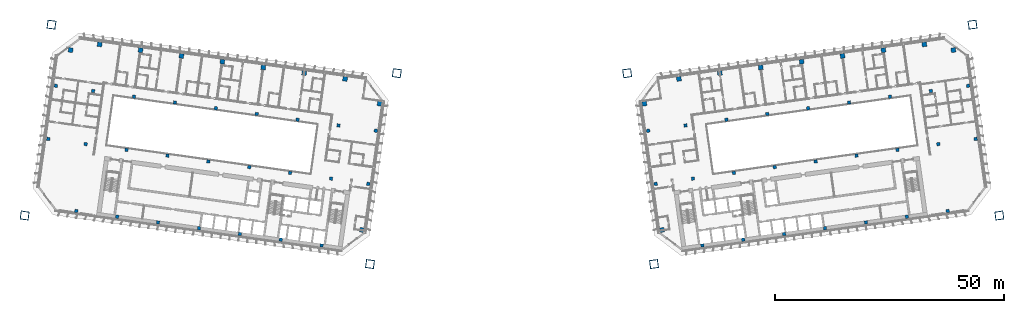
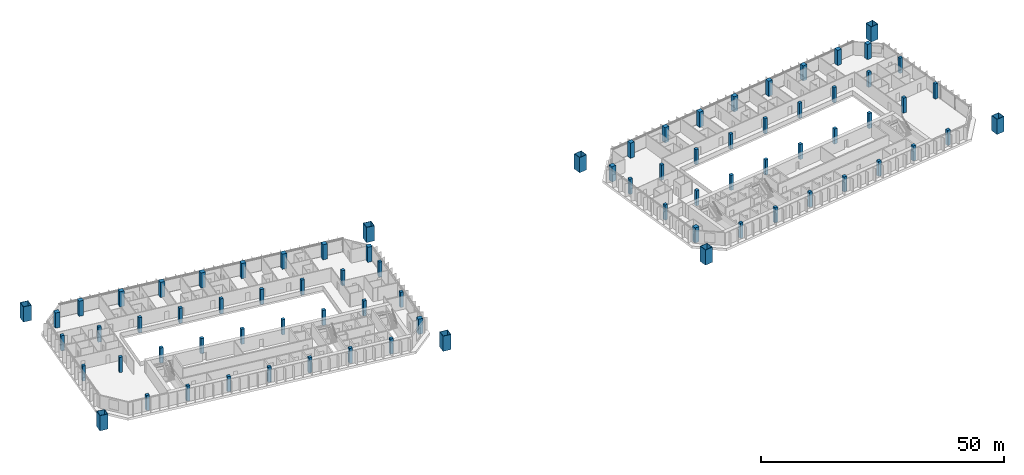
# One storey, part 1 of 25: 78 columns.
"""IFC4 building model written with IfcOpenShell, lengths in metres."""

from ifc_helpers import new_model, si_unit, direction, frame, origin, origin_2d, place, context, subcontext, project, spatial, rectangle, hollow_rectangle, extrude, material, material_profile, profile_set, type_object, element, save


model = new_model("IFC4")

# Units and contexts
model_context = context("Model", 3, precision=1e-05, world=origin(), true_north=direction((0.0, 1.0)))
body_context = subcontext(model_context, "Body", "Model", "MODEL_VIEW")
ifc_project = project(units=[si_unit("LENGTHUNIT", "METRE"), si_unit("AREAUNIT", "SQUARE_METRE"), si_unit("VOLUMEUNIT", "CUBIC_METRE"), si_unit("PLANEANGLEUNIT", "RADIAN"), si_unit("MASSUNIT", "GRAM", prefix="KILO")], contexts=[model_context])

# Site, building, storey
site_placement = place(None, origin())
site = spatial("IfcSite", under=ifc_project, at=site_placement, CompositionType="ELEMENT")
building_placement = place(site_placement, origin())
building = spatial("IfcBuilding", under=site, at=building_placement, Name="Mirante Cascada Hotel Towers", CompositionType="ELEMENT")
storey_placement = place(building_placement, frame((0.0, 0.0, 58.5)))
storey = spatial("IfcBuildingStorey", under=building, at=storey_placement, Name="L11", CompositionType="ELEMENT", Elevation=58.5)

# Columns
ifc_material_1 = material(Name="Steel ASTM A572 Gr 50", Category="steel")
ifc_material_profile_1 = material_profile(ifc_material_1, hollow_rectangle(XDim=1.8, YDim=1.8, WallThickness=0.08, at=origin_2d()), Name="Box column 1800x1800x80 ASTM A572 Gr 50")
ifc_profile_set_1 = profile_set([ifc_material_profile_1], Name="Steel ASTM A572 Gr 50")
column_type_1 = type_object("IfcColumnType", Name="Box column 1800x1800x80 ASTM A572 Gr 50", PredefinedType="COLUMN", material=ifc_profile_set_1)
for number, where, z_axis, x_axis, name in (
    (1, (-25.0968, 18.5173, 0.0), (0.0, 0.0, 1.0), (-0.9902681, 0.1391731, 0.0), "Mega column MC1 T1 L11"),
    (2, (-30.9421, -23.074, 0.0), (0.0, 0.0, 1.0), (-0.9902681, 0.1391731, 0.0), "Mega column MC2 T1 L11"),
    (3, (-100.3572, 29.0944, 0.0), (0.0, 0.0, 1.0), (-0.9902681, 0.1391731, 0.0), "Mega column MC3 T1 L11"),
    (4, (-106.2025, -12.4968, 0.0), (0.0, 0.0, 1.0), (-0.9902681, 0.1391731, 0.0), "Mega column MC4 T1 L11"),
    (5, (25.0968, 18.5173, 0.0), (0.0, 0.0, 1.0), (0.9902681, 0.1391731, 0.0), "Mega column MC1 T2 L11"),
    (6, (30.9421, -23.074, 0.0), (0.0, 0.0, 1.0), (0.9902681, 0.1391731, 0.0), "Mega column MC2 T2 L11"),
    (7, (100.3572, 29.0944, 0.0), (0.0, 0.0, 1.0), (0.9902681, 0.1391731, 0.0), "Mega column MC3 T2 L11"),
    (8, (106.2025, -12.4968, 0.0), (0.0, 0.0, 1.0), (0.9902681, 0.1391731, 0.0), "Mega column MC4 T2 L11"),
):
    element("IfcColumn", number, at=place(storey_placement, frame(where, z_axis=z_axis, x_axis=x_axis)), inside=storey, type_object=column_type_1, Name=name, PredefinedType="COLUMN", context=body_context, shape_type="SweptSolid", body=[
        extrude(hollow_rectangle(XDim=1.8, YDim=1.8, WallThickness=0.08, at=origin_2d()), origin(), (0.0, 0.0, 1.0), 3.8),
    ])
ifc_material_2 = material(Name="Concrete C60/75", Category="concrete")
ifc_material_profile_2 = material_profile(ifc_material_2, rectangle(XDim=1.0, YDim=1.0, at=origin_2d()), Name="RC column 1000x1000 C60/75")
ifc_profile_set_2 = profile_set([ifc_material_profile_2], Name="Concrete C60/75")
column_type_2 = type_object("IfcColumnType", Name="RC column 1000x1000 C60/75", PredefinedType="COLUMN", material=ifc_profile_set_2)
for number, where, z_axis, x_axis, name in (
    (9, (-28.8577, 11.8761, 0.0), (0.0, 0.0, 1.0), (-0.9902681, 0.1391731, 0.0), "Column T1 L11 1"),
    (10, (-32.7267, -15.6534, 0.0), (0.0, 0.0, 1.0), (-0.9902681, 0.1391731, 0.0), "Column T1 L11 4"),
    (11, (-36.3795, 17.2754, 0.0), (0.0, 0.0, 1.0), (-0.9902681, 0.1391731, 0.0), "Column T1 L11 5"),
    (12, (-45.2919, 18.528, 0.0), (0.0, 0.0, 1.0), (-0.9902681, 0.1391731, 0.0), "Column T1 L11 9"),
    (13, (-54.2043, 19.7806, 0.0), (0.0, 0.0, 1.0), (-0.9902681, 0.1391731, 0.0), "Column T1 L11 13"),
    (14, (-63.1167, 21.0331, 0.0), (0.0, 0.0, 1.0), (-0.9902681, 0.1391731, 0.0), "Column T1 L11 17"),
    (15, (-72.0291, 22.2857, 0.0), (0.0, 0.0, 1.0), (-0.9902681, 0.1391731, 0.0), "Column T1 L11 21"),
    (16, (-80.9415, 23.5382, 0.0), (0.0, 0.0, 1.0), (-0.9902681, 0.1391731, 0.0), "Column T1 L11 25"),
    (17, (-89.8539, 24.7908, 0.0), (0.0, 0.0, 1.0), (-0.9902681, 0.1391731, 0.0), "Column T1 L11 29"),
    (18, (-96.1868, 23.5602, 0.0), (0.0, 0.0, 1.0), (-0.9902681, 0.1391731, 0.0), "Column T1 L11 33"),
    (19, (28.8577, 11.8761, 0.0), (0.0, 0.0, 1.0), (0.9902681, 0.1391731, 0.0), "Column T2 L11 1"),
    (20, (32.7267, -15.6534, 0.0), (0.0, 0.0, 1.0), (0.9902681, 0.1391731, 0.0), "Column T2 L11 4"),
    (21, (36.3795, 17.2754, 0.0), (0.0, 0.0, 1.0), (0.9902681, 0.1391731, 0.0), "Column T2 L11 5"),
    (22, (45.2919, 18.528, 0.0), (0.0, 0.0, 1.0), (0.9902681, 0.1391731, 0.0), "Column T2 L11 9"),
    (23, (54.2043, 19.7806, 0.0), (0.0, 0.0, 1.0), (0.9902681, 0.1391731, 0.0), "Column T2 L11 13"),
    (24, (63.1167, 21.0331, 0.0), (0.0, 0.0, 1.0), (0.9902681, 0.1391731, 0.0), "Column T2 L11 17"),
    (25, (72.0291, 22.2857, 0.0), (0.0, 0.0, 1.0), (0.9902681, 0.1391731, 0.0), "Column T2 L11 21"),
    (26, (80.9415, 23.5382, 0.0), (0.0, 0.0, 1.0), (0.9902681, 0.1391731, 0.0), "Column T2 L11 25"),
    (27, (89.8539, 24.7908, 0.0), (0.0, 0.0, 1.0), (0.9902681, 0.1391731, 0.0), "Column T2 L11 29"),
    (28, (96.1868, 23.5602, 0.0), (0.0, 0.0, 1.0), (0.9902681, 0.1391731, 0.0), "Column T2 L11 33"),
):
    element("IfcColumn", number, at=place(storey_placement, frame(where, z_axis=z_axis, x_axis=x_axis)), inside=storey, type_object=column_type_2, Name=name, PredefinedType="COLUMN", context=body_context, shape_type="SweptSolid", body=[
        extrude(rectangle(XDim=1.0, YDim=1.0, at=origin_2d()), origin(), (0.0, 0.0, 1.0), 3.8),
    ])
ifc_material_3 = material(Name="Concrete C60/75", Category="concrete")
ifc_material_profile_3 = material_profile(ifc_material_3, rectangle(XDim=0.7, YDim=0.7, at=origin_2d()), Name="RC column 700x700 C60/75")
ifc_profile_set_3 = profile_set([ifc_material_profile_3], Name="Concrete C60/75")
column_type_3 = type_object("IfcColumnType", Name="RC column 700x700 C60/75", PredefinedType="COLUMN", material=ifc_profile_set_3)
for number, where, z_axis, x_axis, name in (
    (29, (-29.6858, 5.984, 0.0), (0.0, 0.0, 1.0), (-0.9902681, 0.1391731, 0.0), "Column T1 L11 2"),
    (30, (-31.3141, -5.6022, 0.0), (0.0, 0.0, 1.0), (-0.9902681, 0.1391731, 0.0), "Column T1 L11 3"),
    (31, (-37.806, 7.1252, 0.0), (0.0, 0.0, 1.0), (-0.9902681, 0.1391731, 0.0), "Column T1 L11 6"),
    (32, (-39.4343, -4.4609, 0.0), (0.0, 0.0, 1.0), (-0.9902681, 0.1391731, 0.0), "Column T1 L11 7"),
    (33, (-41.4802, -19.0179, 0.0), (0.0, 0.0, 1.0), (-0.9902681, 0.1391731, 0.0), "Column T1 L11 8"),
    (34, (-46.7184, 8.3777, 0.0), (0.0, 0.0, 1.0), (-0.9902681, 0.1391731, 0.0), "Column T1 L11 10"),
    (35, (-48.3467, -3.2084, 0.0), (0.0, 0.0, 1.0), (-0.9902681, 0.1391731, 0.0), "Column T1 L11 11"),
    (36, (-50.3926, -17.7653, 0.0), (0.0, 0.0, 1.0), (-0.9902681, 0.1391731, 0.0), "Column T1 L11 12"),
    (37, (-55.6308, 9.6303, 0.0), (0.0, 0.0, 1.0), (-0.9902681, 0.1391731, 0.0), "Column T1 L11 14"),
    (38, (-57.2591, -1.9558, 0.0), (0.0, 0.0, 1.0), (-0.9902681, 0.1391731, 0.0), "Column T1 L11 15"),
    (39, (-59.305, -16.5128, 0.0), (0.0, 0.0, 1.0), (-0.9902681, 0.1391731, 0.0), "Column T1 L11 16"),
    (40, (-64.5432, 10.8829, 0.0), (0.0, 0.0, 1.0), (-0.9902681, 0.1391731, 0.0), "Column T1 L11 18"),
    (41, (-66.1716, -0.7033, 0.0), (0.0, 0.0, 1.0), (-0.9902681, 0.1391731, 0.0), "Column T1 L11 19"),
    (42, (-68.2174, -15.2602, 0.0), (0.0, 0.0, 1.0), (-0.9902681, 0.1391731, 0.0), "Column T1 L11 20"),
    (43, (-73.4556, 12.1354, 0.0), (0.0, 0.0, 1.0), (-0.9902681, 0.1391731, 0.0), "Column T1 L11 22"),
    (44, (-75.084, 0.5493, 0.0), (0.0, 0.0, 1.0), (-0.9902681, 0.1391731, 0.0), "Column T1 L11 23"),
    (45, (-77.1298, -14.0077, 0.0), (0.0, 0.0, 1.0), (-0.9902681, 0.1391731, 0.0), "Column T1 L11 24"),
    (46, (-82.368, 13.388, 0.0), (0.0, 0.0, 1.0), (-0.9902681, 0.1391731, 0.0), "Column T1 L11 26"),
    (47, (-83.9964, 1.8018, 0.0), (0.0, 0.0, 1.0), (-0.9902681, 0.1391731, 0.0), "Column T1 L11 27"),
    (48, (-86.0422, -12.7551, 0.0), (0.0, 0.0, 1.0), (-0.9902681, 0.1391731, 0.0), "Column T1 L11 28"),
    (49, (-91.2805, 14.6405, 0.0), (0.0, 0.0, 1.0), (-0.9902681, 0.1391731, 0.0), "Column T1 L11 30"),
    (50, (-92.9088, 3.0544, 0.0), (0.0, 0.0, 1.0), (-0.9902681, 0.1391731, 0.0), "Column T1 L11 31"),
    (51, (-94.9546, -11.5025, 0.0), (0.0, 0.0, 1.0), (-0.9902681, 0.1391731, 0.0), "Column T1 L11 32"),
    (52, (-99.4007, 15.7818, 0.0), (0.0, 0.0, 1.0), (-0.9902681, 0.1391731, 0.0), "Column T1 L11 34"),
    (53, (-101.029, 4.1956, 0.0), (0.0, 0.0, 1.0), (-0.9902681, 0.1391731, 0.0), "Column T1 L11 35"),
    (54, (29.6858, 5.984, 0.0), (0.0, 0.0, 1.0), (0.9902681, 0.1391731, 0.0), "Column T2 L11 2"),
    (55, (31.3141, -5.6022, 0.0), (0.0, 0.0, 1.0), (0.9902681, 0.1391731, 0.0), "Column T2 L11 3"),
    (56, (37.806, 7.1252, 0.0), (0.0, 0.0, 1.0), (0.9902681, 0.1391731, 0.0), "Column T2 L11 6"),
    (57, (39.4343, -4.4609, 0.0), (0.0, 0.0, 1.0), (0.9902681, 0.1391731, 0.0), "Column T2 L11 7"),
    (58, (41.4802, -19.0179, 0.0), (0.0, 0.0, 1.0), (0.9902681, 0.1391731, 0.0), "Column T2 L11 8"),
    (59, (46.7184, 8.3777, 0.0), (0.0, 0.0, 1.0), (0.9902681, 0.1391731, 0.0), "Column T2 L11 10"),
    (60, (48.3467, -3.2084, 0.0), (0.0, 0.0, 1.0), (0.9902681, 0.1391731, 0.0), "Column T2 L11 11"),
    (61, (50.3926, -17.7653, 0.0), (0.0, 0.0, 1.0), (0.9902681, 0.1391731, 0.0), "Column T2 L11 12"),
    (62, (55.6308, 9.6303, 0.0), (0.0, 0.0, 1.0), (0.9902681, 0.1391731, 0.0), "Column T2 L11 14"),
    (63, (57.2591, -1.9558, 0.0), (0.0, 0.0, 1.0), (0.9902681, 0.1391731, 0.0), "Column T2 L11 15"),
    (64, (59.305, -16.5128, 0.0), (0.0, 0.0, 1.0), (0.9902681, 0.1391731, 0.0), "Column T2 L11 16"),
    (65, (64.5432, 10.8829, 0.0), (0.0, 0.0, 1.0), (0.9902681, 0.1391731, 0.0), "Column T2 L11 18"),
    (66, (66.1716, -0.7033, 0.0), (0.0, 0.0, 1.0), (0.9902681, 0.1391731, 0.0), "Column T2 L11 19"),
    (67, (68.2174, -15.2602, 0.0), (0.0, 0.0, 1.0), (0.9902681, 0.1391731, 0.0), "Column T2 L11 20"),
    (68, (73.4556, 12.1354, 0.0), (0.0, 0.0, 1.0), (0.9902681, 0.1391731, 0.0), "Column T2 L11 22"),
    (69, (75.084, 0.5493, 0.0), (0.0, 0.0, 1.0), (0.9902681, 0.1391731, 0.0), "Column T2 L11 23"),
    (70, (77.1298, -14.0077, 0.0), (0.0, 0.0, 1.0), (0.9902681, 0.1391731, 0.0), "Column T2 L11 24"),
    (71, (82.368, 13.388, 0.0), (0.0, 0.0, 1.0), (0.9902681, 0.1391731, 0.0), "Column T2 L11 26"),
    (72, (83.9964, 1.8018, 0.0), (0.0, 0.0, 1.0), (0.9902681, 0.1391731, 0.0), "Column T2 L11 27"),
    (73, (86.0422, -12.7551, 0.0), (0.0, 0.0, 1.0), (0.9902681, 0.1391731, 0.0), "Column T2 L11 28"),
    (74, (91.2805, 14.6405, 0.0), (0.0, 0.0, 1.0), (0.9902681, 0.1391731, 0.0), "Column T2 L11 30"),
    (75, (92.9088, 3.0544, 0.0), (0.0, 0.0, 1.0), (0.9902681, 0.1391731, 0.0), "Column T2 L11 31"),
    (76, (94.9546, -11.5025, 0.0), (0.0, 0.0, 1.0), (0.9902681, 0.1391731, 0.0), "Column T2 L11 32"),
    (77, (99.4007, 15.7818, 0.0), (0.0, 0.0, 1.0), (0.9902681, 0.1391731, 0.0), "Column T2 L11 34"),
    (78, (101.029, 4.1956, 0.0), (0.0, 0.0, 1.0), (0.9902681, 0.1391731, 0.0), "Column T2 L11 35"),
):
    element("IfcColumn", number, at=place(storey_placement, frame(where, z_axis=z_axis, x_axis=x_axis)), inside=storey, type_object=column_type_3, Name=name, PredefinedType="COLUMN", context=body_context, shape_type="SweptSolid", body=[
        extrude(rectangle(XDim=0.7, YDim=0.7, at=origin_2d()), origin(), (0.0, 0.0, 1.0), 3.8),
    ])

save(model, "model.ifc")
